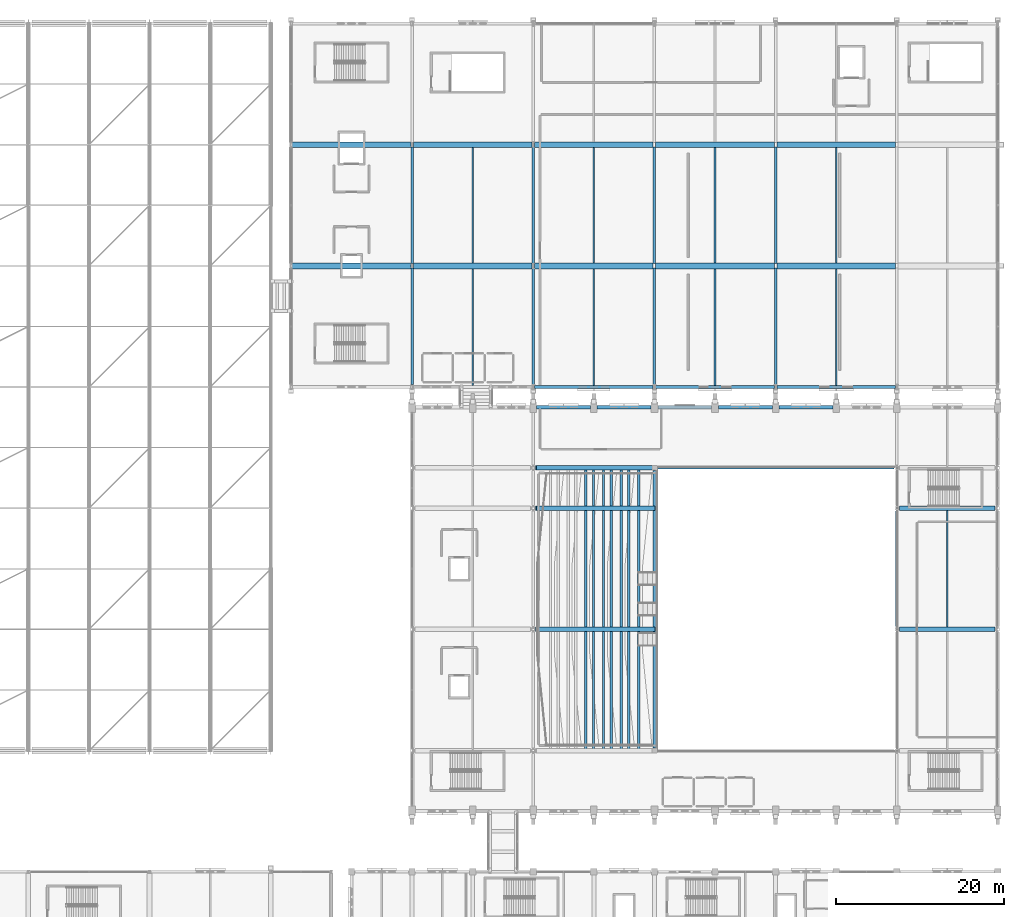
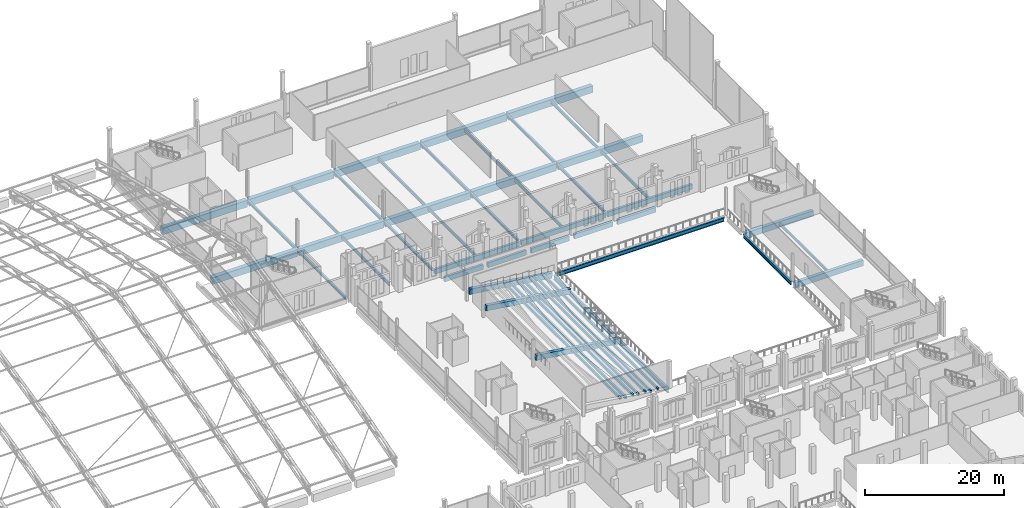
# One storey, part 88 of 193: 50 beams.
"""IFC4 building model written with IfcOpenShell, lengths in metres."""

from ifc_helpers import new_model, si_unit, direction, frame, origin, origin_2d, place, context, subcontext, project, spatial, rectangle, i_section, extrude, material, material_profile, profile_set, type_object, element, save


model = new_model("IFC4")

# Units and contexts
model_context = context("Model", 3, precision=1e-05, world=origin(), true_north=direction((0.0, 1.0)))
body_context = subcontext(model_context, "Body", "Model", "MODEL_VIEW")
ifc_project = project(units=[si_unit("LENGTHUNIT", "METRE"), si_unit("AREAUNIT", "SQUARE_METRE"), si_unit("VOLUMEUNIT", "CUBIC_METRE"), si_unit("PLANEANGLEUNIT", "RADIAN"), si_unit("MASSUNIT", "GRAM", prefix="KILO")], contexts=[model_context])

# Site, building, storey
site_placement = place(None, origin())
site = spatial("IfcSite", under=ifc_project, at=site_placement, CompositionType="ELEMENT")
building_placement = place(site_placement, origin())
building = spatial("IfcBuilding", under=site, at=building_placement, Name="Cendralis Lancet Convention Centre", CompositionType="ELEMENT")
storey_placement = place(building_placement, frame((0.0, 0.0, 10.199951171875)))
storey = spatial("IfcBuildingStorey", under=building, at=storey_placement, Name="L02", CompositionType="ELEMENT", Elevation=10.199951171875)

# Beams
ifc_material_1 = material(Name="Concrete G40 (C40/50)", Category="concrete")
ifc_material_profile_1 = material_profile(ifc_material_1, rectangle(XDim=0.699951171875, YDim=1.199951171875, at=origin_2d()), Name="RCB 700x1200")
ifc_profile_set_1 = profile_set([ifc_material_profile_1], Name="Concrete G40 (C40/50)")
beam_type_1 = type_object("IfcBeamType", Name="STR-BM-BG01", PredefinedType="BEAM", material=ifc_profile_set_1)
beam_1_placement = place(storey_placement, frame((124.949951171875, 108.0, -0.89990234375), z_axis=(1.0, 0.0, 0.0), x_axis=(0.0, 1.0, 0.0)))
element("IfcBeam", 1, at=beam_1_placement, inside=storey, type_object=beam_type_1, Name="L02 Beam BG01 #1703", PredefinedType="BEAM", context=body_context, shape_type="SweptSolid", body=[
    extrude(rectangle(XDim=0.699951171875, YDim=1.199951171875, at=origin_2d()), origin(), (0.0, 0.0, 1.0), 14.10009765625),
])
beam_2_placement = place(storey_placement, frame((139.35009765625, 108.0, -0.89990234375), z_axis=(1.0, 0.0, 0.0), x_axis=(0.0, 1.0, 0.0)))
element("IfcBeam", 2, at=beam_2_placement, inside=storey, type_object=beam_type_1, Name="L02 Beam BG01 #1704", PredefinedType="BEAM", context=body_context, shape_type="SweptSolid", body=[
    extrude(rectangle(XDim=0.699951171875, YDim=1.199951171875, at=origin_2d()), origin(), (0.0, 0.0, 1.0), 14.099853515625),
])
for number, where, z_axis, x_axis, name in (
    (3, (153.75, 108.0, -0.89990234375), (1.0, 0.0, 0.0), (0.0, 1.0, 0.0), "L02 Beam BG01 #1705"),
    (4, (168.14990234375, 108.0, -0.89990234375), (1.0, 0.0, 0.0), (0.0, 1.0, 0.0), "L02 Beam BG01 #1706"),
):
    element("IfcBeam", number, at=place(storey_placement, frame(where, z_axis=z_axis, x_axis=x_axis)), inside=storey, type_object=beam_type_1, Name=name, PredefinedType="BEAM", context=body_context, shape_type="SweptSolid", body=[
        extrude(rectangle(XDim=0.699951171875, YDim=1.199951171875, at=origin_2d()), origin(), (0.0, 0.0, 1.0), 14.10009765625),
    ])
beam_3_placement = place(storey_placement, frame((182.550048828125, 108.0, -0.89990234375), z_axis=(1.0, 0.0, 0.0), x_axis=(0.0, 1.0, 0.0)))
element("IfcBeam", 5, at=beam_3_placement, inside=storey, type_object=beam_type_1, Name="L02 Beam BG01 #1707", PredefinedType="BEAM", context=body_context, shape_type="SweptSolid", body=[
    extrude(rectangle(XDim=0.699951171875, YDim=1.199951171875, at=origin_2d()), origin(), (0.0, 0.0, 1.0), 14.099853515625),
])
beam_4_placement = place(storey_placement, frame((124.949951171875, 122.39990234375, -0.89990234375), z_axis=(1.0, 0.0, 0.0), x_axis=(0.0, 1.0, 0.0)))
element("IfcBeam", 6, at=beam_4_placement, inside=storey, type_object=beam_type_1, Name="L02 Beam BG01 #1709", PredefinedType="BEAM", context=body_context, shape_type="SweptSolid", body=[
    extrude(rectangle(XDim=0.699951171875, YDim=1.199951171875, at=origin_2d()), origin(), (0.0, 0.0, 1.0), 14.10009765625),
])
beam_5_placement = place(storey_placement, frame((139.35009765625, 122.39990234375, -0.89990234375), z_axis=(1.0, 0.0, 0.0), x_axis=(0.0, 1.0, 0.0)))
element("IfcBeam", 7, at=beam_5_placement, inside=storey, type_object=beam_type_1, Name="L02 Beam BG01 #1710", PredefinedType="BEAM", context=body_context, shape_type="SweptSolid", body=[
    extrude(rectangle(XDim=0.699951171875, YDim=1.199951171875, at=origin_2d()), origin(), (0.0, 0.0, 1.0), 14.099853515625),
])
for number, where, z_axis, x_axis, name in (
    (8, (153.75, 122.39990234375, -0.89990234375), (1.0, 0.0, 0.0), (0.0, 1.0, 0.0), "L02 Beam BG01 #1711"),
    (9, (168.14990234375, 122.39990234375, -0.89990234375), (1.0, 0.0, 0.0), (0.0, 1.0, 0.0), "L02 Beam BG01 #1712"),
):
    element("IfcBeam", number, at=place(storey_placement, frame(where, z_axis=z_axis, x_axis=x_axis)), inside=storey, type_object=beam_type_1, Name=name, PredefinedType="BEAM", context=body_context, shape_type="SweptSolid", body=[
        extrude(rectangle(XDim=0.699951171875, YDim=1.199951171875, at=origin_2d()), origin(), (0.0, 0.0, 1.0), 14.10009765625),
    ])
beam_6_placement = place(storey_placement, frame((182.550048828125, 122.39990234375, -0.89990234375), z_axis=(1.0, 0.0, 0.0), x_axis=(0.0, 1.0, 0.0)))
element("IfcBeam", 10, at=beam_6_placement, inside=storey, type_object=beam_type_1, Name="L02 Beam BG01 #1713", PredefinedType="BEAM", context=body_context, shape_type="SweptSolid", body=[
    extrude(rectangle(XDim=0.699951171875, YDim=1.199951171875, at=origin_2d()), origin(), (0.0, 0.0, 1.0), 14.099853515625),
])
ifc_material_profile_2 = material_profile(ifc_material_1, rectangle(XDim=0.550048828125, YDim=1.0, at=origin_2d()), Name="RCB 550x1000")
ifc_profile_set_2 = profile_set([ifc_material_profile_2], Name="Concrete G40 (C40/50)")
beam_type_2 = type_object("IfcBeamType", Name="STR-BM-BG05", PredefinedType="BEAM", material=ifc_profile_set_2)
for number, where, z_axis, x_axis, name in (
    (11, (197.125, 64.800048828125, -0.800048828125), (1.0, 0.0, 0.0), (0.0, 1.0, 0.0), "L02 Beam BG05 #1471"),
    (12, (197.125, 79.199951171875, -0.800048828125), (1.0, 0.0, 0.0), (0.0, 1.0, 0.0), "L02 Beam BG05 #1473"),
):
    element("IfcBeam", number, at=place(storey_placement, frame(where, z_axis=z_axis, x_axis=x_axis)), inside=storey, type_object=beam_type_2, Name=name, PredefinedType="BEAM", context=body_context, shape_type="SweptSolid", body=[
        extrude(rectangle(XDim=0.550048828125, YDim=1.0, at=origin_2d()), origin(), (0.0, 0.0, 1.0), 11.35009765625),
    ])
ifc_material_2 = material(Name="Steel S355", Category="steel")
ifc_material_profile_3 = material_profile(ifc_material_2, i_section(OverallWidth=0.320068359375, OverallDepth=0.800048828125, WebThickness=0.013916015625, FlangeThickness=0.02490234375, at=origin_2d()), Name="PG 800x320")
ifc_profile_set_3 = profile_set([ifc_material_profile_3], Name="Steel S355")
beam_type_3 = type_object("IfcBeamType", Name="STR-BM-SG06", PredefinedType="BEAM", material=ifc_profile_set_3)
beam_7_placement = place(storey_placement, frame((168.0, 50.699951171875, -0.699951171875), z_axis=(0.0, 1.0, 0.0), x_axis=(-1.0, 0.0, 0.0)))
element("IfcBeam", 13, at=beam_7_placement, inside=storey, type_object=beam_type_3, Name="L02 Beam SG06 #1580", PredefinedType="BEAM", context=body_context, shape_type="SweptSolid", body=[
    extrude(i_section(OverallWidth=0.320068359375, OverallDepth=0.800048828125, WebThickness=0.013916015625, FlangeThickness=0.02490234375, at=origin_2d()), origin(), (0.0, 0.0, 1.0), 33.0),
])
ifc_material_profile_4 = material_profile(ifc_material_2, i_section(OverallWidth=0.300048828125, OverallDepth=0.699951171875, WebThickness=0.01708984375, FlangeThickness=0.031982421875, FilletRadius=0.027099609375, at=origin_2d()), Name="HEB 700")
ifc_profile_set_4 = profile_set([ifc_material_profile_4], Name="Steel S355")
beam_type_4 = type_object("IfcBeamType", Name="STR-BM-SG07", PredefinedType="BEAM", material=ifc_profile_set_4)
beam_8_placement = place(storey_placement, frame((168.300048828125, 84.0, -0.64990234375), z_axis=(1.0, 0.0, 0.0), x_axis=(0.0, 1.0, 0.0)))
element("IfcBeam", 14, at=beam_8_placement, inside=storey, type_object=beam_type_4, Name="L02 Beam SG07 #1475", PredefinedType="BEAM", context=body_context, shape_type="SweptSolid", body=[
    extrude(i_section(OverallWidth=0.300048828125, OverallDepth=0.699951171875, WebThickness=0.01708984375, FlangeThickness=0.031982421875, FilletRadius=0.027099609375, at=origin_2d()), origin(), (0.0, 0.0, 1.0), 28.175048828125),
])
ifc_material_profile_5 = material_profile(ifc_material_2, i_section(OverallWidth=0.300048828125, OverallDepth=0.590087890625, WebThickness=0.012939453125, FlangeThickness=0.02490234375, FilletRadius=0.027099609375, at=origin_2d()), Name="HEA 600")
ifc_profile_set_5 = profile_set([ifc_material_profile_5], Name="Steel S355")
beam_type_5 = type_object("IfcBeamType", Name="STR-BM-SG10", PredefinedType="BEAM", material=ifc_profile_set_5)
beam_9_placement = place(storey_placement, frame((196.800048828125, 65.125, -0.594970703125), z_axis=(0.0, 1.0, 0.0), x_axis=(-1.0, 0.0, 0.0)))
element("IfcBeam", 15, at=beam_9_placement, inside=storey, type_object=beam_type_5, Name="L02 Beam SG10 #1489", PredefinedType="BEAM", context=body_context, shape_type="SweptSolid", body=[
    extrude(i_section(OverallWidth=0.300048828125, OverallDepth=0.590087890625, WebThickness=0.012939453125, FlangeThickness=0.02490234375, FilletRadius=0.027099609375, at=origin_2d()), origin(), (0.0, 0.0, 1.0), 13.75),
])
ifc_material_profile_6 = material_profile(ifc_material_2, i_section(OverallWidth=0.300048828125, OverallDepth=0.489990234375, WebThickness=0.011962890625, FlangeThickness=0.02294921875, FilletRadius=0.027099609375, at=origin_2d()), Name="HEA 500")
ifc_profile_set_6 = profile_set([ifc_material_profile_6], Name="Steel S355")
beam_type_6 = type_object("IfcBeamType", Name="STR-BM-SG12", PredefinedType="BEAM", material=ifc_profile_set_6)
for number, where, z_axis, x_axis, name in (
    (16, (139.199951171875, 93.875, -0.544921875), (0.0, 1.0, 0.0), (-1.0, 0.0, 0.0), "L02 Beam SG12 #1724"),
    (17, (139.199951171875, 108.27490234375, -0.544921875), (0.0, 1.0, 0.0), (-1.0, 0.0, 0.0), "L02 Beam SG12 #1725"),
    (18, (153.60009765625, 93.875, -0.544921875), (0.0, 1.0, 0.0), (-1.0, 0.0, 0.0), "L02 Beam SG12 #1727"),
    (19, (153.60009765625, 108.27490234375, -0.544921875), (0.0, 1.0, 0.0), (-1.0, 0.0, 0.0), "L02 Beam SG12 #1728"),
    (20, (168.0, 93.875, -0.544921875), (0.0, 1.0, 0.0), (-1.0, 0.0, 0.0), "L02 Beam SG12 #1730"),
    (21, (168.0, 108.27490234375, -0.544921875), (0.0, 1.0, 0.0), (-1.0, 0.0, 0.0), "L02 Beam SG12 #1731"),
    (22, (182.39990234375, 93.875, -0.544921875), (0.0, 1.0, 0.0), (-1.0, 0.0, 0.0), "L02 Beam SG12 #1733"),
    (23, (182.39990234375, 108.27490234375, -0.544921875), (0.0, 1.0, 0.0), (-1.0, 0.0, 0.0), "L02 Beam SG12 #1734"),
):
    element("IfcBeam", number, at=place(storey_placement, frame(where, z_axis=z_axis, x_axis=x_axis)), inside=storey, type_object=beam_type_6, Name=name, PredefinedType="BEAM", context=body_context, shape_type="SweptSolid", body=[
        extrude(i_section(OverallWidth=0.300048828125, OverallDepth=0.489990234375, WebThickness=0.011962890625, FlangeThickness=0.02294921875, FilletRadius=0.027099609375, at=origin_2d()), origin(), (0.0, 0.0, 1.0), 13.85009765625),
    ])
ifc_material_3 = material(Name="Concrete G35 (C35/45)", Category="concrete")
ifc_material_profile_7 = material_profile(ifc_material_3, rectangle(XDim=0.280029296875, YDim=0.419921875, at=origin_2d()), Name="RCB 280x420")
ifc_profile_set_7 = profile_set([ifc_material_profile_7], Name="Concrete G35 (C35/45)")
beam_type_7 = type_object("IfcBeamType", Name="STR-BM-SR01", PredefinedType="BEAM", material=ifc_profile_set_7)
for number, where, z_axis, x_axis, name in (
    (24, (164.949951171875, 50.39990234375, 0.340087890625), (0.0, 1.0, 0.0), (-1.0, 0.0, 0.0), "Plenary Upper Tier Step Beam SR01 R01"),
    (25, (166.14990234375, 50.39990234375, 0.340087890625), (0.0, 1.0, 0.0), (-1.0, 0.0, 0.0), "Plenary Upper Tier Step Beam SR01 R01"),
    (26, (162.85009765625, 50.39990234375, 0.5400390625), (0.0, 1.0, 0.0), (-1.0, 0.0, 0.0), "Plenary Upper Tier Step Beam SR01 R02"),
    (27, (164.050048828125, 50.39990234375, 0.5400390625), (0.0, 1.0, 0.0), (-1.0, 0.0, 0.0), "Plenary Upper Tier Step Beam SR01 R02"),
    (28, (160.75, 50.39990234375, 0.739990234375), (0.0, 1.0, 0.0), (-1.0, 0.0, 0.0), "Plenary Upper Tier Step Beam SR01 R03"),
    (29, (161.949951171875, 50.39990234375, 0.739990234375), (0.0, 1.0, 0.0), (-1.0, 0.0, 0.0), "Plenary Upper Tier Step Beam SR01 R03"),
    (30, (159.85009765625, 50.39990234375, 0.93994140625), (0.0, 1.0, 0.0), (-1.0, 0.0, 0.0), "Plenary Upper Tier Step Beam SR01 R04"),
):
    element("IfcBeam", number, at=place(storey_placement, frame(where, z_axis=z_axis, x_axis=x_axis)), inside=storey, type_object=beam_type_7, Name=name, PredefinedType="BEAM", context=body_context, shape_type="SweptSolid", body=[
        extrude(rectangle(XDim=0.280029296875, YDim=0.419921875, at=origin_2d()), origin(), (0.0, 0.0, 1.0), 33.60009765625),
    ])
ifc_material_profile_8 = material_profile(ifc_material_2, i_section(OverallWidth=0.2099609375, OverallDepth=0.550048828125, WebThickness=0.010986328125, FlangeThickness=0.01708984375, FilletRadius=0.02392578125, at=origin_2d()), Name="IPE 550")
ifc_profile_set_8 = profile_set([ifc_material_profile_8], Name="Steel S355")
beam_type_8 = type_object("IfcBeamType", Name="STR-JS-BJ05", PredefinedType="JOIST", material=ifc_profile_set_8)
beam_10_placement = place(storey_placement, frame((146.39990234375, 93.800048828125, -0.574951171875), z_axis=(0.0, 1.0, 0.0), x_axis=(-1.0, 0.0, 0.0)))
element("IfcBeam", 31, at=beam_10_placement, inside=storey, type_object=beam_type_8, Name="L02 Beam BJ05 #1742", PredefinedType="JOIST", context=body_context, shape_type="SweptSolid", body=[
    extrude(i_section(OverallWidth=0.2099609375, OverallDepth=0.550048828125, WebThickness=0.010986328125, FlangeThickness=0.01708984375, FilletRadius=0.02392578125, at=origin_2d()), origin(), (0.0, 0.0, 1.0), 13.849853515625),
])
beam_11_placement = place(storey_placement, frame((146.39990234375, 108.35009765625, -0.574951171875), z_axis=(0.0, 1.0, 0.0), x_axis=(-1.0, 0.0, 0.0)))
element("IfcBeam", 32, at=beam_11_placement, inside=storey, type_object=beam_type_8, Name="L02 Beam BJ05 #1743", PredefinedType="JOIST", context=body_context, shape_type="SweptSolid", body=[
    extrude(i_section(OverallWidth=0.2099609375, OverallDepth=0.550048828125, WebThickness=0.010986328125, FlangeThickness=0.01708984375, FilletRadius=0.02392578125, at=origin_2d()), origin(), (0.0, 0.0, 1.0), 13.699951171875),
])
beam_12_placement = place(storey_placement, frame((160.800048828125, 93.800048828125, -0.574951171875), z_axis=(0.0, 1.0, 0.0), x_axis=(-1.0, 0.0, 0.0)))
element("IfcBeam", 33, at=beam_12_placement, inside=storey, type_object=beam_type_8, Name="L02 Beam BJ05 #1744", PredefinedType="JOIST", context=body_context, shape_type="SweptSolid", body=[
    extrude(i_section(OverallWidth=0.2099609375, OverallDepth=0.550048828125, WebThickness=0.010986328125, FlangeThickness=0.01708984375, FilletRadius=0.02392578125, at=origin_2d()), origin(), (0.0, 0.0, 1.0), 13.849853515625),
])
beam_13_placement = place(storey_placement, frame((160.800048828125, 108.35009765625, -0.574951171875), z_axis=(0.0, 1.0, 0.0), x_axis=(-1.0, 0.0, 0.0)))
element("IfcBeam", 34, at=beam_13_placement, inside=storey, type_object=beam_type_8, Name="L02 Beam BJ05 #1745", PredefinedType="JOIST", context=body_context, shape_type="SweptSolid", body=[
    extrude(i_section(OverallWidth=0.2099609375, OverallDepth=0.550048828125, WebThickness=0.010986328125, FlangeThickness=0.01708984375, FilletRadius=0.02392578125, at=origin_2d()), origin(), (0.0, 0.0, 1.0), 13.699951171875),
])
beam_14_placement = place(storey_placement, frame((175.199951171875, 93.800048828125, -0.574951171875), z_axis=(0.0, 1.0, 0.0), x_axis=(-1.0, 0.0, 0.0)))
element("IfcBeam", 35, at=beam_14_placement, inside=storey, type_object=beam_type_8, Name="L02 Beam BJ05 #1747", PredefinedType="JOIST", context=body_context, shape_type="SweptSolid", body=[
    extrude(i_section(OverallWidth=0.2099609375, OverallDepth=0.550048828125, WebThickness=0.010986328125, FlangeThickness=0.01708984375, FilletRadius=0.02392578125, at=origin_2d()), origin(), (0.0, 0.0, 1.0), 13.849853515625),
])
beam_15_placement = place(storey_placement, frame((175.199951171875, 108.35009765625, -0.574951171875), z_axis=(0.0, 1.0, 0.0), x_axis=(-1.0, 0.0, 0.0)))
element("IfcBeam", 36, at=beam_15_placement, inside=storey, type_object=beam_type_8, Name="L02 Beam BJ05 #1748", PredefinedType="JOIST", context=body_context, shape_type="SweptSolid", body=[
    extrude(i_section(OverallWidth=0.2099609375, OverallDepth=0.550048828125, WebThickness=0.010986328125, FlangeThickness=0.01708984375, FilletRadius=0.02392578125, at=origin_2d()), origin(), (0.0, 0.0, 1.0), 13.699951171875),
])
beam_16_placement = place(storey_placement, frame((189.60009765625, 93.800048828125, -0.574951171875), z_axis=(0.0, 1.0, 0.0), x_axis=(-1.0, 0.0, 0.0)))
element("IfcBeam", 37, at=beam_16_placement, inside=storey, type_object=beam_type_8, Name="L02 Beam BJ05 #1750", PredefinedType="JOIST", context=body_context, shape_type="SweptSolid", body=[
    extrude(i_section(OverallWidth=0.2099609375, OverallDepth=0.550048828125, WebThickness=0.010986328125, FlangeThickness=0.01708984375, FilletRadius=0.02392578125, at=origin_2d()), origin(), (0.0, 0.0, 1.0), 13.849853515625),
])
beam_17_placement = place(storey_placement, frame((189.60009765625, 108.35009765625, -0.574951171875), z_axis=(0.0, 1.0, 0.0), x_axis=(-1.0, 0.0, 0.0)))
element("IfcBeam", 38, at=beam_17_placement, inside=storey, type_object=beam_type_8, Name="L02 Beam BJ05 #1751", PredefinedType="JOIST", context=body_context, shape_type="SweptSolid", body=[
    extrude(i_section(OverallWidth=0.2099609375, OverallDepth=0.550048828125, WebThickness=0.010986328125, FlangeThickness=0.01708984375, FilletRadius=0.02392578125, at=origin_2d()), origin(), (0.0, 0.0, 1.0), 13.699951171875),
])
ifc_material_profile_9 = material_profile(ifc_material_2, i_section(OverallWidth=0.199951171875, OverallDepth=0.5, WebThickness=0.01025390625, FlangeThickness=0.01611328125, FilletRadius=0.02099609375, at=origin_2d()), Name="IPE 500")
ifc_profile_set_9 = profile_set([ifc_material_profile_9], Name="Steel S355")
beam_type_9 = type_object("IfcBeamType", Name="STR-JS-BJ06", PredefinedType="JOIST", material=ifc_profile_set_9)
beam_18_placement = place(storey_placement, frame((202.800048828125, 65.074951171875, -0.550048828125), z_axis=(0.0, 1.0, 0.0), x_axis=(-1.0, 0.0, 0.0)))
element("IfcBeam", 39, at=beam_18_placement, inside=storey, type_object=beam_type_9, Name="L02 Beam BJ06 #1502", PredefinedType="JOIST", context=body_context, shape_type="SweptSolid", body=[
    extrude(i_section(OverallWidth=0.199951171875, OverallDepth=0.5, WebThickness=0.01025390625, FlangeThickness=0.01611328125, FilletRadius=0.02099609375, at=origin_2d()), origin(), (0.0, 0.0, 1.0), 13.85009765625),
])
ifc_material_profile_10 = material_profile(ifc_material_3, rectangle(XDim=0.550048828125, YDim=0.89990234375, at=origin_2d()), Name="RCB 550x900")
ifc_profile_set_10 = profile_set([ifc_material_profile_10], Name="Concrete G35 (C35/45)")
beam_type_10 = type_object("IfcBeamType", Name="STR-RK-RAKER2", PredefinedType="USERDEFINED", material=ifc_profile_set_10)
for number, where, z_axis, x_axis, name in (
    (40, (153.925048828125, 64.800048828125, 1.550048828125), (0.990539233993, 0.0, -0.13722982883), (0.0, 1.0, 0.0), "Plenary Upper Stand RAKER Girder RK02-F02"),
    (41, (153.925048828125, 79.199951171875, 1.550048828125), (0.990539233993, 0.0, -0.13722982883), (0.0, 1.0, 0.0), "Plenary Upper Stand RAKER Girder RK02-F03"),
):
    element("IfcBeam", number, at=place(storey_placement, frame(where, z_axis=z_axis, x_axis=x_axis)), inside=storey, type_object=beam_type_10, Name=name, ObjectType="RAKER", PredefinedType="USERDEFINED", context=body_context, shape_type="SweptSolid", body=[
        extrude(rectangle(XDim=0.550048828125, YDim=0.89990234375, at=origin_2d()), origin(), (0.0, 0.0, 1.0), 14.20947265625),
    ])
beam_19_placement = place(storey_placement, frame((153.925048828125, 84.0, 1.550048828125), z_axis=(0.990128740298, 0.0, -0.140160899095), x_axis=(0.0, 1.0, 0.0)))
element("IfcBeam", 42, at=beam_19_placement, inside=storey, type_object=beam_type_10, Name="Plenary Upper Stand RAKER Girder RK02-F04", ObjectType="RAKER", PredefinedType="USERDEFINED", context=body_context, shape_type="SweptSolid", body=[
    extrude(rectangle(XDim=0.550048828125, YDim=0.89990234375, at=origin_2d()), origin(), (0.0, 0.0, 1.0), 13.912353515625),
])
ifc_material_profile_11 = material_profile(ifc_material_1, rectangle(XDim=0.39990234375, YDim=0.85009765625, at=origin_2d()), Name="RCB 400x850")
ifc_profile_set_11 = profile_set([ifc_material_profile_11], Name="Concrete G40 (C40/50)")
beam_type_11 = type_object("IfcBeamType", Name="STR-SP-SP02", PredefinedType="SPANDREL", material=ifc_profile_set_11)
beam_20_placement = place(storey_placement, frame((154.0, 91.199951171875, -0.724853515625), z_axis=(1.0, 0.0, 0.0), x_axis=(0.0, 1.0, 0.0)))
element("IfcBeam", 43, at=beam_20_placement, inside=storey, type_object=beam_type_11, Name="L02 Beam SP02 #1460", PredefinedType="SPANDREL", context=body_context, shape_type="SweptSolid", body=[
    extrude(rectangle(XDim=0.39990234375, YDim=0.85009765625, at=origin_2d()), origin(), (0.0, 0.0, 1.0), 6.39990234375),
])
for number, where, z_axis, x_axis, name in (
    (44, (161.199951171875, 91.199951171875, -0.724853515625), (1.0, 0.0, 0.0), (0.0, 1.0, 0.0), "L02 Beam SP02 #1461"),
    (45, (168.39990234375, 91.199951171875, -0.724853515625), (1.0, 0.0, 0.0), (0.0, 1.0, 0.0), "L02 Beam SP02 #1462"),
):
    element("IfcBeam", number, at=place(storey_placement, frame(where, z_axis=z_axis, x_axis=x_axis)), inside=storey, type_object=beam_type_11, Name=name, PredefinedType="SPANDREL", context=body_context, shape_type="SweptSolid", body=[
        extrude(rectangle(XDim=0.39990234375, YDim=0.85009765625, at=origin_2d()), origin(), (0.0, 0.0, 1.0), 6.400146484375),
    ])
for number, where, z_axis, x_axis, name in (
    (46, (175.60009765625, 91.199951171875, -0.724853515625), (1.0, 0.0, 0.0), (0.0, 1.0, 0.0), "L02 Beam SP02 #1463"),
    (47, (182.800048828125, 91.199951171875, -0.724853515625), (1.0, 0.0, 0.0), (0.0, 1.0, 0.0), "L02 Beam SP02 #1464"),
):
    element("IfcBeam", number, at=place(storey_placement, frame(where, z_axis=z_axis, x_axis=x_axis)), inside=storey, type_object=beam_type_11, Name=name, PredefinedType="SPANDREL", context=body_context, shape_type="SweptSolid", body=[
        extrude(rectangle(XDim=0.39990234375, YDim=0.85009765625, at=origin_2d()), origin(), (0.0, 0.0, 1.0), 6.39990234375),
    ])
for number, where, z_axis, x_axis, name in (
    (48, (153.75, 93.60009765625, -0.724853515625), (1.0, 0.0, 0.0), (0.0, 1.0, 0.0), "L02 Beam SP02 #1699"),
    (49, (168.14990234375, 93.60009765625, -0.724853515625), (1.0, 0.0, 0.0), (0.0, 1.0, 0.0), "L02 Beam SP02 #1700"),
):
    element("IfcBeam", number, at=place(storey_placement, frame(where, z_axis=z_axis, x_axis=x_axis)), inside=storey, type_object=beam_type_11, Name=name, PredefinedType="SPANDREL", context=body_context, shape_type="SweptSolid", body=[
        extrude(rectangle(XDim=0.39990234375, YDim=0.85009765625, at=origin_2d()), origin(), (0.0, 0.0, 1.0), 14.10009765625),
    ])
beam_21_placement = place(storey_placement, frame((182.550048828125, 93.60009765625, -0.724853515625), z_axis=(1.0, 0.0, 0.0), x_axis=(0.0, 1.0, 0.0)))
element("IfcBeam", 50, at=beam_21_placement, inside=storey, type_object=beam_type_11, Name="L02 Beam SP02 #1701", PredefinedType="SPANDREL", context=body_context, shape_type="SweptSolid", body=[
    extrude(rectangle(XDim=0.39990234375, YDim=0.85009765625, at=origin_2d()), origin(), (0.0, 0.0, 1.0), 14.099853515625),
])

save(model, "model.ifc")
